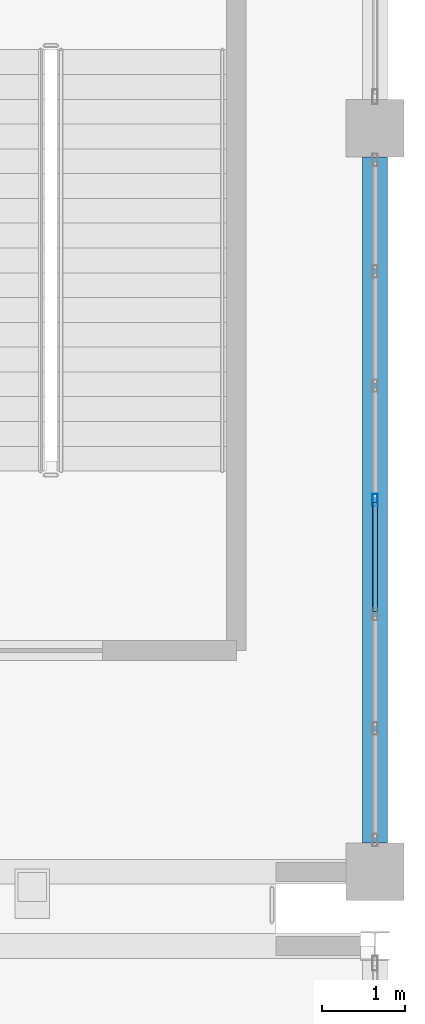
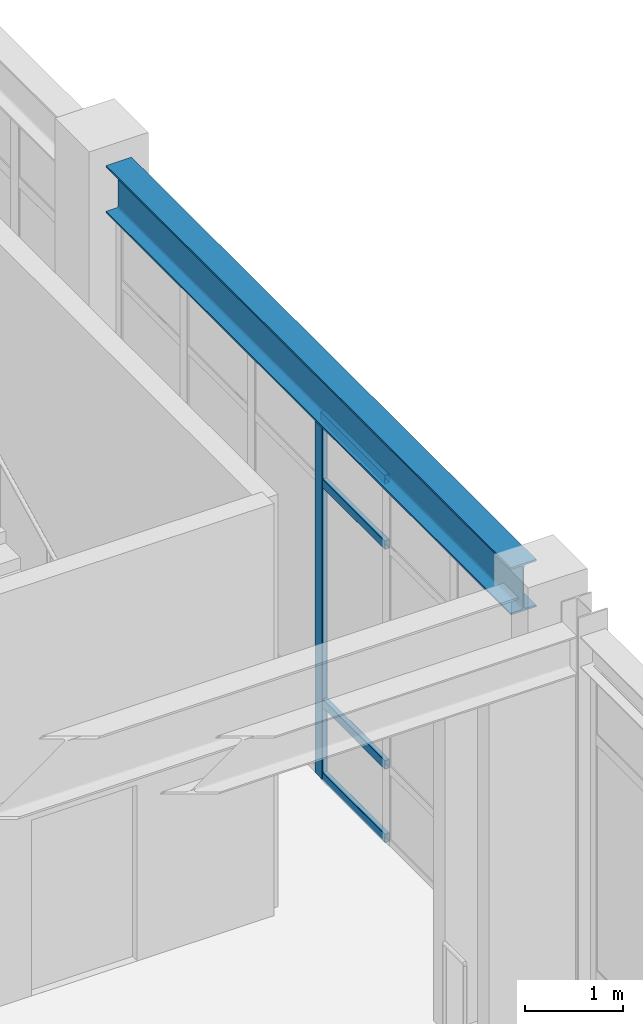
# One storey, part 26 of 80: 5 members, 1 beam, 1 element without a shape of its own.
"""IFC4 building model written with IfcOpenShell, lengths in metres."""

from ifc_helpers import new_model, si_unit, direction, frame, origin, origin_2d, place, context, subcontext, project, spatial, hollow_rectangle, i_section, extrude, material, material_profile, profile_set, type_object, element, aggregate, save


model = new_model("IFC4")

# Units and contexts
model_context = context("Model", 3, precision=1e-05, world=origin(), true_north=direction((0.0, 1.0)))
body_context = subcontext(model_context, "Body", "Model", "MODEL_VIEW")
ifc_project = project(units=[si_unit("LENGTHUNIT", "METRE"), si_unit("AREAUNIT", "SQUARE_METRE"), si_unit("VOLUMEUNIT", "CUBIC_METRE"), si_unit("PLANEANGLEUNIT", "RADIAN"), si_unit("MASSUNIT", "GRAM", prefix="KILO")], contexts=[model_context])

# Site, building, storey
site_placement = place(None, origin())
site = spatial("IfcSite", under=ifc_project, at=site_placement, CompositionType="ELEMENT")
building_placement = place(site_placement, origin())
building = spatial("IfcBuilding", under=site, at=building_placement, Name="Canglan Escarpment Cableway Terminal", CompositionType="ELEMENT")
storey_placement = place(building_placement, frame((0.0, 0.0, 19.199951171875)))
storey = spatial("IfcBuildingStorey", under=building, at=storey_placement, Name="L04", CompositionType="ELEMENT", Elevation=19.199951171875)

# Beam
ifc_material_1 = material(Name="Steel Q355C", Category="steel")
ifc_material_profile_1 = material_profile(ifc_material_1, i_section(OverallWidth=0.302001953125, OverallDepth=0.593994140625, WebThickness=0.013916015625, FlangeThickness=0.02294921875, FilletRadius=0.028076171875, at=origin_2d()), Name="HM 594x302x14x23")
ifc_profile_set_1 = profile_set([ifc_material_profile_1], Name="Steel Q355C")
beam_type = type_object("IfcBeamType", Name="BM-HM594", PredefinedType="BEAM", material=ifc_profile_set_1)
beam_placement = place(storey_placement, frame((166.39990234375, 34.35009765625, 4.863037109375), z_axis=(0.0, 1.0, 0.0), x_axis=(-1.0, 0.0, 0.0)))
element("IfcBeam", 1, at=beam_placement, inside=storey, type_object=beam_type, Name="Primary transverse girder B-07", PredefinedType="BEAM", context=body_context, shape_type="SweptSolid", body=[
    extrude(i_section(OverallWidth=0.302001953125, OverallDepth=0.593994140625, WebThickness=0.013916015625, FlangeThickness=0.02294921875, FilletRadius=0.028076171875, at=origin_2d()), origin(), (0.0, 0.0, 1.0), 8.2998046875),
])

# Curtain wall, members
ifc_material_2 = material(Name="Anodized bronze aluminium and Low-E double glazing", Category="aluminium")
curtain_wall_type = type_object("IfcCurtainWallType", Name="CW-BAY-8300x4550", PredefinedType="NOTDEFINED", material=ifc_material_2)
curtain_wall_placement = place(storey_placement, origin())
curtain_wall = element("IfcCurtainWall", 2, at=curtain_wall_placement, inside=storey, type_object=curtain_wall_type, Name="Classical bay-between-piers glazed curtain wall CW-64", PredefinedType="NOTDEFINED")
ifc_material_3 = material(Name="Thermally broken anodized aluminium 6063-T6", Category="aluminium")
ifc_material_profile_2 = material_profile(ifc_material_3, hollow_rectangle(XDim=0.06494140625, YDim=0.14990234375, WallThickness=0.00341796875, InnerFilletRadius=0.00341796875, OuterFilletRadius=0.007080078125, at=origin_2d()), Name="ALU-MULL 65x150x3.5")
ifc_profile_set_2 = profile_set([ifc_material_profile_2], Name="Thermally broken anodized aluminium 6063-T6")
member_type_1 = type_object("IfcMemberType", Name="CWM-02", PredefinedType="MULLION", material=ifc_profile_set_2)
member_1_placement = place(storey_placement, frame((166.39990234375, 38.5, 0.0), z_axis=(0.0, 0.0, 1.0), x_axis=(-1.0, 0.0, 0.0)))
member_1 = element("IfcMember", 3, at=member_1_placement, type_object=member_type_1, Name="CW-64 mullion 4", PredefinedType="MULLION", context=body_context, shape_type="SweptSolid", body=[
    extrude(hollow_rectangle(XDim=0.06494140625, YDim=0.14990234375, WallThickness=0.00341796875, InnerFilletRadius=0.00341796875, OuterFilletRadius=0.007080078125, at=origin_2d()), origin(), (0.0, 0.0, 1.0), 4.551025390625),
])
ifc_material_profile_3 = material_profile(ifc_material_3, hollow_rectangle(XDim=0.06005859375, YDim=0.110107421875, WallThickness=0.0029296875, InnerFilletRadius=0.0029296875, OuterFilletRadius=0.006103515625, at=origin_2d()), Name="ALU-TRAN 60x110x3")
ifc_profile_set_3 = profile_set([ifc_material_profile_3], Name="Thermally broken anodized aluminium 6063-T6")
member_type_2 = type_object("IfcMemberType", Name="CWT-02", PredefinedType="USERDEFINED", material=ifc_profile_set_3)
member_2_placement = place(storey_placement, frame((166.39990234375, 37.149169921875, 0.030029296875), z_axis=(0.0, 1.0, 0.0), x_axis=(-1.0, 0.0, 0.0)))
member_2 = element("IfcMember", 4, at=member_2_placement, type_object=member_type_2, Name="CW-64 transom 3.1", ObjectType="TRANSOM", PredefinedType="USERDEFINED", context=body_context, shape_type="SweptSolid", body=[
    extrude(hollow_rectangle(XDim=0.06005859375, YDim=0.110107421875, WallThickness=0.0029296875, InnerFilletRadius=0.0029296875, OuterFilletRadius=0.006103515625, at=origin_2d()), origin(), (0.0, 0.0, 1.0), 1.318359375),
])
member_3_placement = place(storey_placement, frame((166.39990234375, 37.149169921875, 0.949951171875), z_axis=(0.0, 1.0, 0.0), x_axis=(-1.0, 0.0, 0.0)))
member_3 = element("IfcMember", 5, at=member_3_placement, type_object=member_type_2, Name="CW-64 transom 3.2", ObjectType="TRANSOM", PredefinedType="USERDEFINED", context=body_context, shape_type="SweptSolid", body=[
    extrude(hollow_rectangle(XDim=0.06005859375, YDim=0.110107421875, WallThickness=0.0029296875, InnerFilletRadius=0.0029296875, OuterFilletRadius=0.006103515625, at=origin_2d()), origin(), (0.0, 0.0, 1.0), 1.318359375),
])
member_4_placement = place(storey_placement, frame((166.39990234375, 37.149169921875, 3.700927734375), z_axis=(0.0, 1.0, 0.0), x_axis=(-1.0, 0.0, 0.0)))
member_4 = element("IfcMember", 6, at=member_4_placement, type_object=member_type_2, Name="CW-64 transom 3.3", ObjectType="TRANSOM", PredefinedType="USERDEFINED", context=body_context, shape_type="SweptSolid", body=[
    extrude(hollow_rectangle(XDim=0.06005859375, YDim=0.110107421875, WallThickness=0.0029296875, InnerFilletRadius=0.0029296875, OuterFilletRadius=0.006103515625, at=origin_2d()), origin(), (0.0, 0.0, 1.0), 1.318359375),
])
member_5_placement = place(storey_placement, frame((166.39990234375, 37.149169921875, 4.52099609375), z_axis=(0.0, 1.0, 0.0), x_axis=(-1.0, 0.0, 0.0)))
member_5 = element("IfcMember", 7, at=member_5_placement, type_object=member_type_2, Name="CW-64 transom 3.4", ObjectType="TRANSOM", PredefinedType="USERDEFINED", context=body_context, shape_type="SweptSolid", body=[
    extrude(hollow_rectangle(XDim=0.06005859375, YDim=0.110107421875, WallThickness=0.0029296875, InnerFilletRadius=0.0029296875, OuterFilletRadius=0.006103515625, at=origin_2d()), origin(), (0.0, 0.0, 1.0), 1.318359375),
])
aggregate(curtain_wall, [member_1, member_2, member_3, member_4, member_5])

save(model, "model.ifc")
